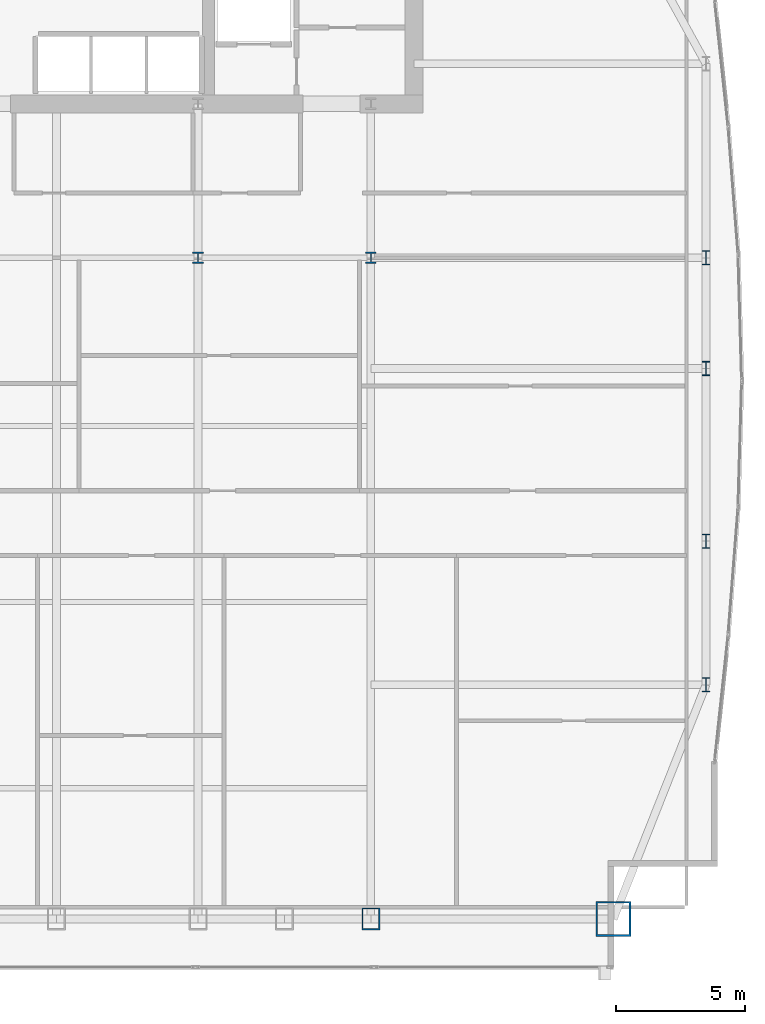
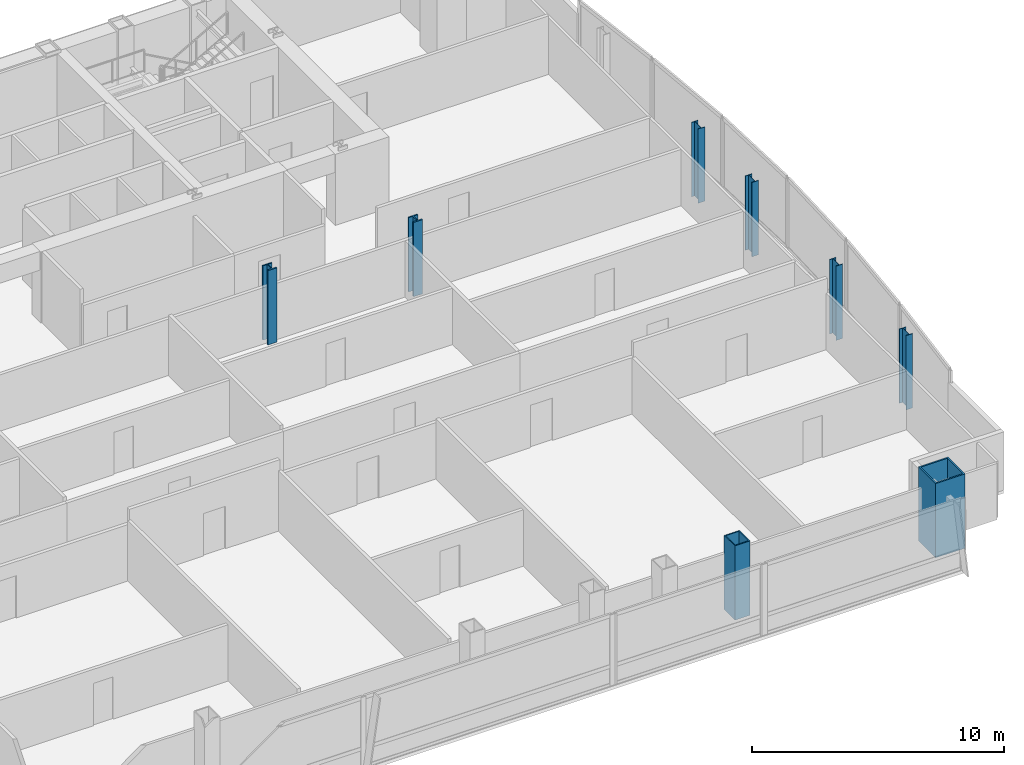
# One storey, part 2 of 29: 8 columns.
"""IFC4 building model written with IfcOpenShell, lengths in metres."""

from ifc_helpers import new_model, si_unit, direction, frame, origin, origin_2d, place, context, subcontext, project, spatial, hollow_rectangle, i_section, extrude, material, material_profile, profile_set, type_object, element, save


model = new_model("IFC4")

# Units and contexts
model_context = context("Model", 3, precision=1e-05, world=origin(), true_north=direction((0.0, 1.0)))
body_context = subcontext(model_context, "Body", "Model", "MODEL_VIEW")
ifc_project = project(units=[si_unit("LENGTHUNIT", "METRE"), si_unit("AREAUNIT", "SQUARE_METRE"), si_unit("VOLUMEUNIT", "CUBIC_METRE"), si_unit("PLANEANGLEUNIT", "RADIAN"), si_unit("MASSUNIT", "GRAM", prefix="KILO")], contexts=[model_context])

# Site, building, storey
site_placement = place(None, origin())
site = spatial("IfcSite", under=ifc_project, at=site_placement, CompositionType="ELEMENT")
building_placement = place(site_placement, origin())
building = spatial("IfcBuilding", under=site, at=building_placement, Name="Khoronbel Lancet Exchange", CompositionType="ELEMENT")
storey_placement = place(building_placement, frame((0.0, 0.0, 139.800048828125)))
storey = spatial("IfcBuildingStorey", under=building, at=storey_placement, Name="L34", CompositionType="ELEMENT", Elevation=139.800048828125)

# Columns
ifc_material_1 = material(Name="Steel S460", Category="steel")
ifc_material_profile_1 = material_profile(ifc_material_1, hollow_rectangle(XDim=0.699951171875, YDim=0.85009765625, WallThickness=0.050048828125, at=origin_2d()), Name="BOX 850x700x50")
ifc_profile_set_1 = profile_set([ifc_material_profile_1], Name="Steel S460")
column_type_1 = type_object("IfcColumnType", Name="COL-EC2", PredefinedType="COLUMN", material=ifc_profile_set_1)
column_1_placement = place(storey_placement, frame((54.675048828125, 10.14990234375, 0.0), z_axis=(0.0, 0.0, 1.0), x_axis=(1.0, 0.0, 0.0)))
element("IfcColumn", 1, at=column_1_placement, inside=storey, type_object=column_type_1, Name="Structural column SC-E2 L34", PredefinedType="COLUMN", context=body_context, shape_type="SweptSolid", body=[
    extrude(hollow_rectangle(XDim=0.699951171875, YDim=0.85009765625, WallThickness=0.050048828125, at=origin_2d()), origin(), (0.0, 0.0, 1.0), 3.599853515625),
])
ifc_material_profile_2 = material_profile(ifc_material_1, i_section(OverallWidth=0.416015625, OverallDepth=0.446044921875, WebThickness=0.0390625, FlangeThickness=0.062744140625, at=origin_2d()), Name="HD 400x509")
ifc_profile_set_2 = profile_set([ifc_material_profile_2], Name="Steel S460")
column_type_2 = type_object("IfcColumnType", Name="COL-IC2", PredefinedType="COLUMN", material=ifc_profile_set_2)
for number, where, z_axis, x_axis, name in (
    (2, (48.0, 35.699951171875, 0.0), (0.0, 0.0, 1.0), (1.0, 0.0, 0.0), "Spine gravity column TC3 L34"),
    (3, (54.675048828125, 35.699951171875, 0.0), (0.0, 0.0, 1.0), (1.0, 0.0, 0.0), "Spine gravity column TC4 L34"),
):
    element("IfcColumn", number, at=place(storey_placement, frame(where, z_axis=z_axis, x_axis=x_axis)), inside=storey, type_object=column_type_2, Name=name, PredefinedType="COLUMN", context=body_context, shape_type="SweptSolid", body=[
        extrude(i_section(OverallWidth=0.416015625, OverallDepth=0.446044921875, WebThickness=0.0390625, FlangeThickness=0.062744140625, at=origin_2d()), origin(), (0.0, 0.0, 1.0), 3.599853515625),
    ])
ifc_material_2 = material(Name="Steel S355", Category="steel")
ifc_material_profile_3 = material_profile(ifc_material_2, i_section(OverallWidth=0.300048828125, OverallDepth=0.550048828125, WebThickness=0.014892578125, FlangeThickness=0.029052734375, at=origin_2d()), Name="HEB 550")
ifc_profile_set_3 = profile_set([ifc_material_profile_3], Name="Steel S355")
column_type_3 = type_object("IfcColumnType", Name="COL-LC1", PredefinedType="COLUMN", material=ifc_profile_set_3)
for number, where, z_axis, x_axis, name in (
    (4, (67.6298828125, 19.199951171875, 0.0), (0.0, 0.0, 1.0), (1.0, 0.0, 0.0), "Structural column EC-1 L34"),
    (5, (67.6298828125, 24.75, 0.0), (0.0, 0.0, 1.0), (1.0, 0.0, 0.0), "Structural column EC-2 L34"),
    (6, (67.6298828125, 31.425048828125, 0.0), (0.0, 0.0, 1.0), (1.0, 0.0, 0.0), "Structural column EC-M L34"),
    (7, (67.6298828125, 35.699951171875, 0.0), (0.0, 0.0, 1.0), (1.0, 0.0, 0.0), "Structural column EC-3 L34"),
):
    element("IfcColumn", number, at=place(storey_placement, frame(where, z_axis=z_axis, x_axis=x_axis)), inside=storey, type_object=column_type_3, Name=name, PredefinedType="COLUMN", context=body_context, shape_type="SweptSolid", body=[
        extrude(i_section(OverallWidth=0.300048828125, OverallDepth=0.550048828125, WebThickness=0.014892578125, FlangeThickness=0.029052734375, at=origin_2d()), origin(), (0.0, 0.0, 1.0), 3.599853515625),
    ])
ifc_material_profile_4 = material_profile(ifc_material_1, hollow_rectangle(XDim=1.35009765625, YDim=1.35009765625, WallThickness=0.06494140625, at=origin_2d()), Name="BOX 1350x1350x65")
ifc_profile_set_4 = profile_set([ifc_material_profile_4], Name="Steel S460")
column_type_4 = type_object("IfcColumnType", Name="COL-MC4", PredefinedType="COLUMN", material=ifc_profile_set_4)
column_2_placement = place(storey_placement, frame((64.050048828125, 10.14990234375, 0.0), z_axis=(0.0, 0.0, 1.0), x_axis=(1.0, 0.0, 0.0)))
element("IfcColumn", 8, at=column_2_placement, inside=storey, type_object=column_type_4, Name="Structural column MC-SE L34", PredefinedType="COLUMN", context=body_context, shape_type="SweptSolid", body=[
    extrude(hollow_rectangle(XDim=1.35009765625, YDim=1.35009765625, WallThickness=0.06494140625, at=origin_2d()), origin(), (0.0, 0.0, 1.0), 3.599853515625),
])

save(model, "model.ifc")
